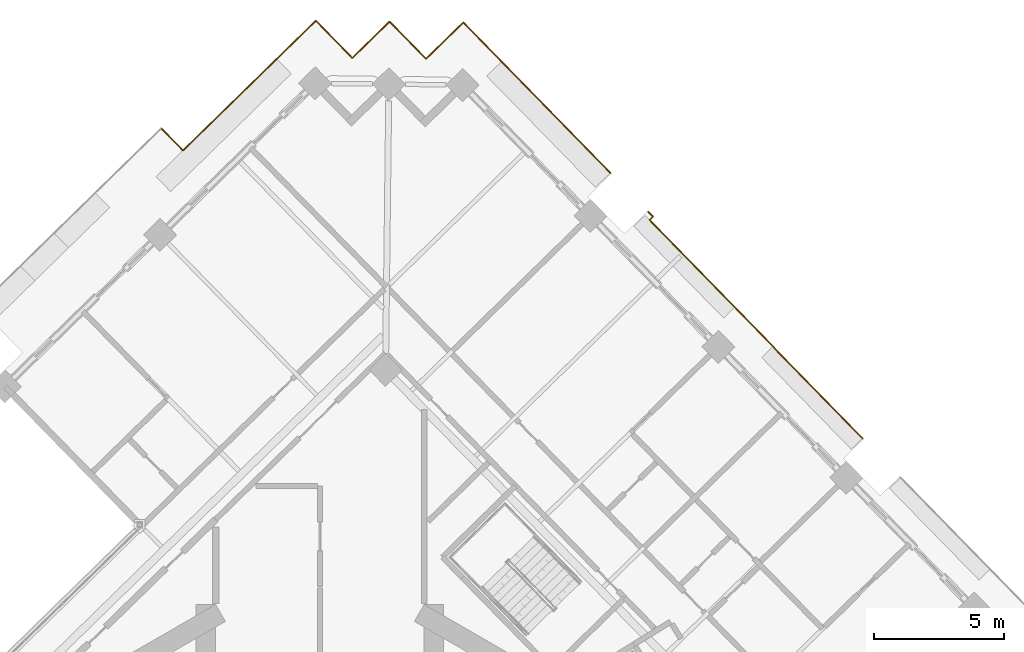
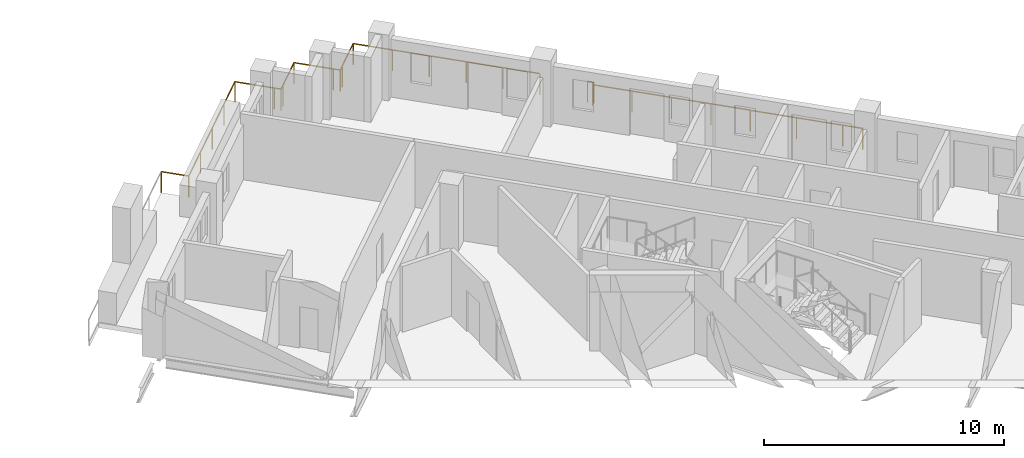
# One storey, part 20 of 21: 2 railings.
"""IFC4 building model written with IfcOpenShell, lengths in metres."""

from ifc_helpers import new_model, si_unit, direction, frame, origin, origin_2d, place, context, subcontext, project, spatial, circle, extrude, material, type_object, element, save


model = new_model("IFC4")

# Units and contexts
model_context = context("Model", 3, precision=1e-05, world=origin(), true_north=direction((0.0, 1.0)))
body_context = subcontext(model_context, "Body", "Model", "MODEL_VIEW")
ifc_project = project(units=[si_unit("LENGTHUNIT", "METRE"), si_unit("AREAUNIT", "SQUARE_METRE"), si_unit("VOLUMEUNIT", "CUBIC_METRE"), si_unit("PLANEANGLEUNIT", "RADIAN"), si_unit("MASSUNIT", "GRAM", prefix="KILO")], contexts=[model_context])

# Site, building, storey
site_placement = place(None, origin())
site = spatial("IfcSite", under=ifc_project, at=site_placement, CompositionType="ELEMENT")
building_placement = place(site_placement, origin())
building = spatial("IfcBuilding", under=site, at=building_placement, Name="Cantera Rosa Tower", CompositionType="ELEMENT")
storey_placement = place(building_placement, frame((0.0, 0.0, 230.60009765625)))
storey = spatial("IfcBuildingStorey", under=building, at=storey_placement, Name="L50", CompositionType="ELEMENT", Elevation=230.60009765625)

# Railings
ifc_material = material(Name="Stainless steel and laminated glass", Category="steel")
railing_type = type_object("IfcRailingType", Name="GUARD 1100", PredefinedType="BALUSTRADE", material=ifc_material)
railing_1_placement = place(storey_placement, frame((-6.08544921875, 28.230224609375, 0.0)))
element("IfcRailing", 1, at=railing_1_placement, inside=storey, type_object=railing_type, Name="GUARD L50-4", PredefinedType="BALUSTRADE", context=body_context, shape_type="SweptSolid", body=[
    extrude(circle(Radius=0.030029296875, at=origin_2d()), frame((0.0, 0.0, 1.070068359375), z_axis=(0.698890211106, -0.715228965311, 0.0), x_axis=(0.715228965311, 0.698890211106, 0.0)), (0.0, 0.0, 1.0), 1.1953125),
    extrude(circle(Radius=0.030029296875, at=origin_2d()), frame((0.83544921875, -0.85498046875, 1.070068359375), z_axis=(0.715295079704, 0.698822544678, 0.0), x_axis=(-0.698822544678, 0.715295079704, 0.0)), (0.0, 0.0, 1.0), 5.424560546875),
    extrude(circle(Radius=0.030029296875, at=origin_2d()), frame((4.715576171875, 2.935791015625, 1.070068359375), z_axis=(0.715316077832, 0.69880105094, 0.0), x_axis=(-0.69880105094, 0.715316077832, 0.0)), (0.0, 0.0, 1.0), 1.699951171875),
    extrude(circle(Radius=0.030029296875, at=origin_2d()), frame((5.931640625, 4.123779296875, 1.070068359375), z_axis=(0.698872839675, -0.715245939495, 0.0), x_axis=(0.715245939495, 0.698872839675, 0.0)), (0.0, 0.0, 1.0), 1.699951171875),
    extrude(circle(Radius=0.030029296875, at=origin_2d()), frame((7.11962890625, 2.907958984375, 1.070068359375), z_axis=(0.698506948293, -0.715603272202, 0.0), x_axis=(0.715603272202, 0.698506948293, 0.0)), (0.0, 0.0, 1.0), 0.2998046875),
    extrude(circle(Radius=0.030029296875, at=origin_2d()), frame((7.3291015625, 2.693359375, 1.070068359375), z_axis=(0.715196445894, 0.698923489218, 0.0), x_axis=(-0.698923489218, 0.715196445894, 0.0)), (0.0, 0.0, 1.0), 0.300048828125),
    extrude(circle(Radius=0.030029296875, at=origin_2d()), frame((7.543701171875, 2.903076171875, 1.070068359375), z_axis=(0.715316077832, 0.69880105094, 0.0), x_axis=(-0.69880105094, 0.715316077832, 0.0)), (0.0, 0.0, 1.0), 1.699951171875),
    extrude(circle(Radius=0.030029296875, at=origin_2d()), frame((8.759765625, 4.091064453125, 1.070068359375), z_axis=(0.69880105094, -0.715316077832, 0.0), x_axis=(0.715316077832, 0.69880105094, 0.0)), (0.0, 0.0, 1.0), 1.699951171875),
    extrude(circle(Radius=0.030029296875, at=origin_2d()), frame((9.94775390625, 2.875, 1.070068359375), z_axis=(0.698923489218, -0.715196445894, 0.0), x_axis=(0.715196445894, 0.698923489218, 0.0)), (0.0, 0.0, 1.0), 0.300048828125),
    extrude(circle(Radius=0.030029296875, at=origin_2d()), frame((10.157470703125, 2.660400390625, 1.070068359375), z_axis=(0.715196445894, 0.698923489218, 0.0), x_axis=(-0.698923489218, 0.715196445894, 0.0)), (0.0, 0.0, 1.0), 0.300048828125),
    extrude(circle(Radius=0.030029296875, at=origin_2d()), frame((10.3720703125, 2.8701171875, 1.070068359375), z_axis=(0.715316077832, 0.69880105094, 0.0), x_axis=(-0.69880105094, 0.715316077832, 0.0)), (0.0, 0.0, 1.0), 1.699951171875),
    extrude(circle(Radius=0.030029296875, at=origin_2d()), frame((11.588134765625, 4.05810546875, 1.070068359375), z_axis=(0.69880105094, -0.715316077832, 0.0), x_axis=(0.715316077832, 0.69880105094, 0.0)), (0.0, 0.0, 1.0), 1.699951171875),
    extrude(circle(Radius=0.030029296875, at=origin_2d()), frame((12.776123046875, 2.842041015625, 1.070068359375), z_axis=(0.698825008445, -0.715292672668, 0.0), x_axis=(0.715292672668, 0.698825008445, 0.0)), (0.0, 0.0, 1.0), 6.389892578125),
    extrude(circle(Radius=0.02490234375, at=origin_2d()), origin(), (0.0, 0.0, 1.0), 1.0400390625),
    extrude(circle(Radius=0.02490234375, at=origin_2d()), frame((0.83544921875, -0.85498046875, 0.0)), (0.0, 0.0, 1.0), 1.0400390625),
    extrude(circle(Radius=0.02490234375, at=origin_2d()), frame((2.12890625, 0.40869140625, 0.0)), (0.0, 0.0, 1.0), 1.0400390625),
    extrude(circle(Radius=0.02490234375, at=origin_2d()), frame((3.422119140625, 1.672119140625, 0.0)), (0.0, 0.0, 1.0), 1.0400390625),
    extrude(circle(Radius=0.02490234375, at=origin_2d()), frame((4.715576171875, 2.935791015625, 0.0)), (0.0, 0.0, 1.0), 1.0400390625),
    extrude(circle(Radius=0.02490234375, at=origin_2d()), frame((5.931640625, 4.123779296875, 0.0)), (0.0, 0.0, 1.0), 1.0400390625),
    extrude(circle(Radius=0.02490234375, at=origin_2d()), frame((7.11962890625, 2.907958984375, 0.0)), (0.0, 0.0, 1.0), 1.0400390625),
    extrude(circle(Radius=0.02490234375, at=origin_2d()), frame((7.3291015625, 2.693359375, 0.0)), (0.0, 0.0, 1.0), 1.0400390625),
    extrude(circle(Radius=0.02490234375, at=origin_2d()), frame((7.543701171875, 2.903076171875, 0.0)), (0.0, 0.0, 1.0), 1.0400390625),
    extrude(circle(Radius=0.02490234375, at=origin_2d()), frame((8.759765625, 4.091064453125, 0.0)), (0.0, 0.0, 1.0), 1.0400390625),
    extrude(circle(Radius=0.02490234375, at=origin_2d()), frame((9.94775390625, 2.875, 0.0)), (0.0, 0.0, 1.0), 1.0400390625),
    extrude(circle(Radius=0.02490234375, at=origin_2d()), frame((10.157470703125, 2.660400390625, 0.0)), (0.0, 0.0, 1.0), 1.0400390625),
    extrude(circle(Radius=0.02490234375, at=origin_2d()), frame((10.3720703125, 2.8701171875, 0.0)), (0.0, 0.0, 1.0), 1.0400390625),
    extrude(circle(Radius=0.02490234375, at=origin_2d()), frame((11.588134765625, 4.05810546875, 0.0)), (0.0, 0.0, 1.0), 1.0400390625),
    extrude(circle(Radius=0.02490234375, at=origin_2d()), frame((12.776123046875, 2.842041015625, 0.0)), (0.0, 0.0, 1.0), 1.0400390625),
    extrude(circle(Radius=0.02490234375, at=origin_2d()), frame((13.892578125, 1.699462890625, 0.0)), (0.0, 0.0, 1.0), 1.0400390625),
    extrude(circle(Radius=0.02490234375, at=origin_2d()), frame((15.0087890625, 0.556640625, 0.0)), (0.0, 0.0, 1.0), 1.0400390625),
    extrude(circle(Radius=0.02490234375, at=origin_2d()), frame((16.125, -0.5859375, 0.0)), (0.0, 0.0, 1.0), 1.0400390625),
    extrude(circle(Radius=0.02490234375, at=origin_2d()), frame((17.241455078125, -1.728515625, 0.0)), (0.0, 0.0, 1.0), 1.0400390625),
])
railing_2_placement = place(storey_placement, frame((12.595703125, 25.028076171875, 0.0)))
element("IfcRailing", 2, at=railing_2_placement, inside=storey, type_object=railing_type, Name="GUARD L50-9", PredefinedType="BALUSTRADE", context=body_context, shape_type="SweptSolid", body=[
    extrude(circle(Radius=0.030029296875, at=origin_2d()), frame((0.0, 0.0, 1.070068359375), z_axis=(0.698922436913, -0.715197474254, 0.0), x_axis=(0.715197474254, 0.698922436913, 0.0)), (0.0, 0.0, 1.0), 0.27001953125),
    extrude(circle(Radius=0.030029296875, at=origin_2d()), frame((0.188720703125, -0.193115234375, 1.070068359375), z_axis=(-0.715589832222, -0.698520716958, 0.0), x_axis=(0.698520716958, -0.715589832222, 0.0)), (0.0, 0.0, 1.0), 0.18603515625),
    extrude(circle(Radius=0.030029296875, at=origin_2d()), frame((0.0556640625, -0.322998046875, 1.070068359375), z_axis=(0.698824551526, -0.715293119067, 0.0), x_axis=(0.715293119067, 0.698824551526, 0.0)), (0.0, 0.0, 1.0), 6.834228515625),
    extrude(circle(Radius=0.030029296875, at=origin_2d()), frame((4.83154296875, -5.21142578125, 1.070068359375), z_axis=(-0.715781948377, -0.698323852075, 0.0), x_axis=(0.698323852075, -0.715781948377, 0.0)), (0.0, 0.0, 1.0), 0.013916015625),
    extrude(circle(Radius=0.030029296875, at=origin_2d()), frame((4.821533203125, -5.22119140625, 1.070068359375), z_axis=(0.698862096229, -0.715256436849, 0.0), x_axis=(0.715256436849, 0.698862096229, 0.0)), (0.0, 0.0, 1.0), 4.005859375),
    extrude(circle(Radius=0.030029296875, at=origin_2d()), frame((7.62109375, -8.08642578125, 1.070068359375), z_axis=(0.698779602308, -0.715337030636, 0.0), x_axis=(0.715337030636, 0.698779602308, 0.0)), (0.0, 0.0, 1.0), 0.869873046875),
    extrude(circle(Radius=0.02490234375, at=origin_2d()), origin(), (0.0, 0.0, 1.0), 1.0400390625),
    extrude(circle(Radius=0.02490234375, at=origin_2d()), frame((0.188720703125, -0.193115234375, 0.0)), (0.0, 0.0, 1.0), 1.0400390625),
    extrude(circle(Radius=0.02490234375, at=origin_2d()), frame((0.0556640625, -0.322998046875, 0.0)), (0.0, 0.0, 1.0), 1.0400390625),
    extrude(circle(Radius=0.02490234375, at=origin_2d()), frame((1.24951171875, -1.545166015625, 0.0)), (0.0, 0.0, 1.0), 1.0400390625),
    extrude(circle(Radius=0.02490234375, at=origin_2d()), frame((2.443603515625, -2.76708984375, 0.0)), (0.0, 0.0, 1.0), 1.0400390625),
    extrude(circle(Radius=0.02490234375, at=origin_2d()), frame((3.6376953125, -3.9892578125, 0.0)), (0.0, 0.0, 1.0), 1.0400390625),
    extrude(circle(Radius=0.02490234375, at=origin_2d()), frame((4.83154296875, -5.21142578125, 0.0)), (0.0, 0.0, 1.0), 1.0400390625),
    extrude(circle(Radius=0.02490234375, at=origin_2d()), frame((4.821533203125, -5.22119140625, 0.0)), (0.0, 0.0, 1.0), 1.0400390625),
    extrude(circle(Radius=0.02490234375, at=origin_2d()), frame((6.22119140625, -6.65380859375, 0.0)), (0.0, 0.0, 1.0), 1.0400390625),
    extrude(circle(Radius=0.02490234375, at=origin_2d()), frame((7.62109375, -8.08642578125, 0.0)), (0.0, 0.0, 1.0), 1.0400390625),
    extrude(circle(Radius=0.02490234375, at=origin_2d()), frame((8.22900390625, -8.708740234375, 0.0)), (0.0, 0.0, 1.0), 1.0400390625),
])

save(model, "model.ifc")
